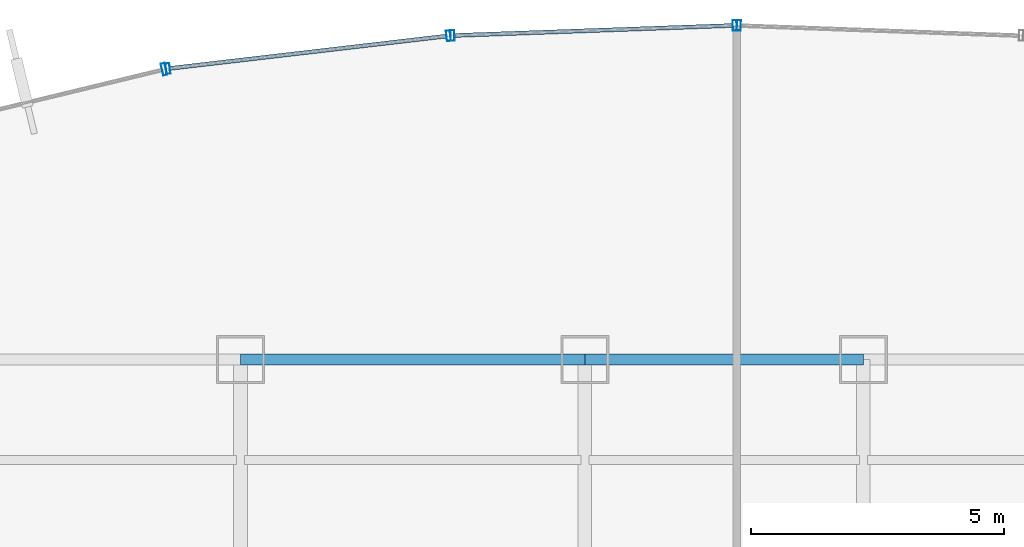
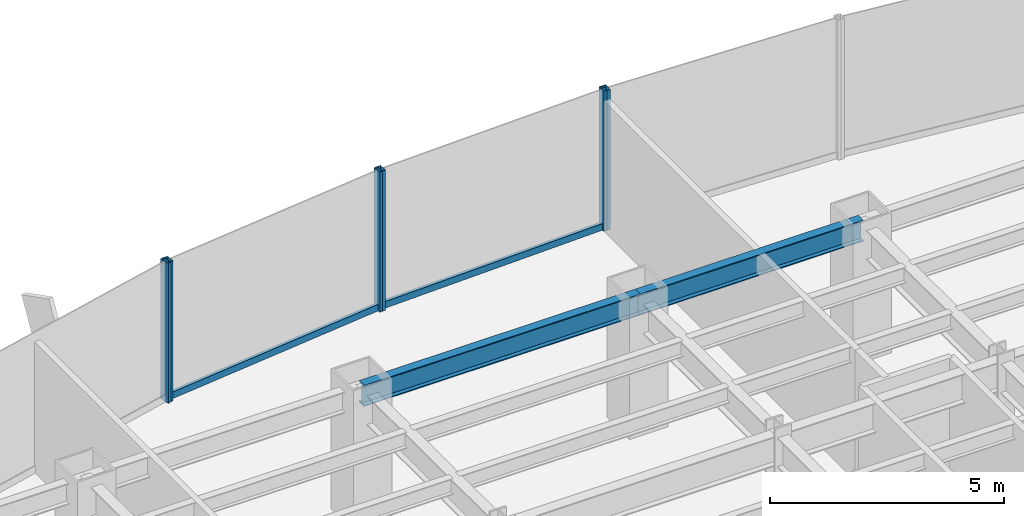
# One storey, part 12 of 22: 8 members, 2 beams, 4 elements without a shape of their own.
"""IFC4 building model written with IfcOpenShell, lengths in metres."""

from ifc_helpers import new_model, si_unit, derived_unit, direction, frame, origin, origin_2d, place, context, subcontext, project, spatial, hollow_rectangle, i_section, extrude, source, transform, mapped, material, material_profile, profile_set, type_object, element, aggregate, save


model = new_model("IFC4")

# Units and contexts
model_context = context("Model", 3, precision=1e-05, world=origin(), true_north=direction((0.0, 1.0)))
body_context = subcontext(model_context, "Body", "Model", "MODEL_VIEW")
ifc_project = project(units=[si_unit("LENGTHUNIT", "METRE"), si_unit("AREAUNIT", "SQUARE_METRE"), si_unit("VOLUMEUNIT", "CUBIC_METRE"), si_unit("PLANEANGLEUNIT", "RADIAN"), si_unit("MASSUNIT", "GRAM", prefix="KILO"), derived_unit("THERMALTRANSMITTANCEUNIT", [(si_unit("POWERUNIT", "WATT"), 1), (si_unit("LENGTHUNIT", "METRE"), -2), (si_unit("THERMODYNAMICTEMPERATUREUNIT", "KELVIN"), -1)])], contexts=[model_context])

# Site, building, storey
site_placement = place(None, origin())
site = spatial("IfcSite", under=ifc_project, at=site_placement, CompositionType="ELEMENT")
building_placement = place(site_placement, origin())
building = spatial("IfcBuilding", under=site, at=building_placement, Name="Skarnbrae Concourse Arena and Tower", CompositionType="ELEMENT")
storey_placement = place(building_placement, frame((0.0, 0.0, 61.699951171875)))
storey = spatial("IfcBuildingStorey", under=building, at=storey_placement, Name="L14", CompositionType="ELEMENT", Elevation=61.699951171875)

# Beams
ifc_material_1 = material(Name="Steel CSA G40.21 350W", Category="steel")
ifc_material_profile_1 = material_profile(ifc_material_1, i_section(OverallWidth=0.214111328125, OverallDepth=0.549072265625, WebThickness=0.0146484375, FlangeThickness=0.023681640625, at=origin_2d()), Name="W530X138")
ifc_profile_set_1 = profile_set([ifc_material_profile_1], Name="Steel CSA G40.21 350W")
beam_type = type_object("IfcBeamType", Name="BM-SPAN-W530X138", PredefinedType="SPANDREL", material=ifc_profile_set_1)
shared_shape_1 = source(origin(), body_context, "Body", "SweptSolid", [
    extrude(i_section(OverallWidth=0.214111328125, OverallDepth=0.549072265625, WebThickness=0.0146484375, FlangeThickness=0.023681640625, at=origin_2d()), origin(), (0.0, 0.0, 1.0), 6.800048828125),
])
beam_1_placement = place(storey_placement, frame((21.199951171875, 40.39990234375, 3.12548828125), z_axis=(1.0, 0.0, 0.0), x_axis=(0.0, 1.0, 0.0)))
element("IfcBeam", 1, at=beam_1_placement, inside=storey, type_object=beam_type, Name="L14 Perimeter spandrel Y40.4-3", PredefinedType="SPANDREL", context=body_context, shape_type="MappedRepresentation", body=[
    mapped(shared_shape_1, transform((0.0, 0.0, 0.0))),
])
shared_shape_2 = source(origin(), body_context, "Body", "SweptSolid", [
    extrude(i_section(OverallWidth=0.214111328125, OverallDepth=0.549072265625, WebThickness=0.0146484375, FlangeThickness=0.023681640625, at=origin_2d()), origin(), (0.0, 0.0, 1.0), 5.5),
])
beam_2_placement = place(storey_placement, frame((28.0, 40.39990234375, 3.12548828125), z_axis=(1.0, 0.0, 0.0), x_axis=(0.0, 1.0, 0.0)))
element("IfcBeam", 2, at=beam_2_placement, inside=storey, type_object=beam_type, Name="L14 Perimeter spandrel Y40.4-4", PredefinedType="SPANDREL", context=body_context, shape_type="MappedRepresentation", body=[
    mapped(shared_shape_2, transform((0.0, 0.0, 0.0))),
])

# Curtain wall, member
ifc_material_2 = material(Name="Bronze anodised aluminium 6063-T6", Category="aluminium")
curtain_wall_type_1 = type_object("IfcCurtainWallType", Name="CW-SYS-02-LOWZONE", PredefinedType="USERDEFINED", material=ifc_material_2)
curtain_wall_1_placement = place(storey_placement, origin())
curtain_wall_1 = element("IfcCurtainWall", 3, at=curtain_wall_1_placement, inside=storey, type_object=curtain_wall_type_1, Name="L14 Unitised curtain wall CW-L14-E14", ObjectType="UNITISED CURTAIN WALL", PredefinedType="USERDEFINED")
ifc_material_profile_2 = material_profile(ifc_material_2, hollow_rectangle(XDim=0.080078125, YDim=0.239990234375, WallThickness=0.0048828125, at=origin_2d()), Name="ALU-MULL-80X240")
ifc_profile_set_2 = profile_set([ifc_material_profile_2], Name="Bronze anodised aluminium 6063-T6")
member_type_1 = type_object("IfcMemberType", Name="CWM-CW-02", PredefinedType="MULLION", material=ifc_profile_set_2)
shared_shape_3 = source(origin(), body_context, "Body", "SweptSolid", [
    extrude(hollow_rectangle(XDim=0.080078125, YDim=0.239990234375, WallThickness=0.0048828125, at=origin_2d()), origin(), (0.0, 0.0, 1.0), 3.650146484375),
])
member_1_placement = place(storey_placement, frame((19.688720703125, 46.131103515625, 0.0), z_axis=(0.0, 0.0, 1.0), x_axis=(-0.971973721569, -0.235089524607, 0.0)))
member_1 = element("IfcMember", 4, at=member_1_placement, type_object=member_type_1, Name="CW-L14-E14 Mullion 1", PredefinedType="MULLION", context=body_context, shape_type="MappedRepresentation", body=[
    mapped(shared_shape_3, transform((0.0, 0.0, 0.0))),
])
aggregate(curtain_wall_1, [member_1])

curtain_wall_type_2 = type_object("IfcCurtainWallType", Name="CW-SYS-03-PORTAL", PredefinedType="USERDEFINED", material=ifc_material_2)
curtain_wall_2_placement = place(storey_placement, origin())
curtain_wall_2 = element("IfcCurtainWall", 5, at=curtain_wall_2_placement, inside=storey, type_object=curtain_wall_type_2, Name="L14 Unitised curtain wall CW-L14-E11", ObjectType="UNITISED CURTAIN WALL", PredefinedType="USERDEFINED")
ifc_material_profile_3 = material_profile(ifc_material_2, hollow_rectangle(XDim=0.080078125, YDim=0.2099609375, WallThickness=0.00439453125, at=origin_2d()), Name="ALU-MULL-80X210")
ifc_profile_set_3 = profile_set([ifc_material_profile_3], Name="Bronze anodised aluminium 6063-T6")
member_type_2 = type_object("IfcMemberType", Name="CWM-CW-03", PredefinedType="MULLION", material=ifc_profile_set_3)
shared_shape_4 = source(origin(), body_context, "Body", "SweptSolid", [
    extrude(hollow_rectangle(XDim=0.080078125, YDim=0.2099609375, WallThickness=0.00439453125, at=origin_2d()), origin(), (0.0, 0.0, 1.0), 3.650146484375),
])
member_2_placement = place(storey_placement, frame((31.0400390625, 46.99853515625, 0.0), z_axis=(0.0, 0.0, 1.0), x_axis=(-0.999355425188, 0.035898943527, 0.0)))
member_2 = element("IfcMember", 6, at=member_2_placement, type_object=member_type_2, Name="CW-L14-E11 Mullion 2", PredefinedType="MULLION", context=body_context, shape_type="MappedRepresentation", body=[
    mapped(shared_shape_4, transform((0.0, 0.0, 0.0))),
])
aggregate(curtain_wall_2, [member_2])

# Curtain wall, members
curtain_wall_3_placement = place(storey_placement, origin())
curtain_wall_3 = element("IfcCurtainWall", 7, at=curtain_wall_3_placement, inside=storey, type_object=curtain_wall_type_2, Name="L14 Unitised curtain wall CW-L14-E12", ObjectType="UNITISED CURTAIN WALL", PredefinedType="USERDEFINED")
member_3_placement = place(storey_placement, frame((30.9599609375, 46.99853515625, 0.0), z_axis=(0.0, 0.0, 1.0), x_axis=(-0.999355425188, -0.035898943527, 0.0)))
member_3 = element("IfcMember", 8, at=member_3_placement, type_object=member_type_2, Name="CW-L14-E12 Mullion 1", PredefinedType="MULLION", context=body_context, shape_type="MappedRepresentation", body=[
    mapped(shared_shape_4, transform((0.0, 0.0, 0.0))),
])
member_4_placement = place(storey_placement, frame((25.385986328125, 46.79833984375, 0.0), z_axis=(0.0, 0.0, 1.0), x_axis=(-0.999355425188, -0.035898943527, 0.0)))
member_4 = element("IfcMember", 9, at=member_4_placement, type_object=member_type_2, Name="CW-L14-E12 Mullion 2", PredefinedType="MULLION", context=body_context, shape_type="MappedRepresentation", body=[
    mapped(shared_shape_4, transform((0.0, 0.0, 0.0))),
])

curtain_wall_4_placement = place(storey_placement, origin())
curtain_wall_4 = element("IfcCurtainWall", 10, at=curtain_wall_4_placement, inside=storey, type_object=curtain_wall_type_2, Name="L14 Unitised curtain wall CW-L14-E13", ObjectType="UNITISED CURTAIN WALL", PredefinedType="USERDEFINED")
member_5_placement = place(storey_placement, frame((25.306396484375, 46.792236328125, 0.0), z_axis=(0.0, 0.0, 1.0), x_axis=(-0.99324457001, -0.116039752435, 0.0)))
member_5 = element("IfcMember", 11, at=member_5_placement, type_object=member_type_2, Name="CW-L14-E13 Mullion 1", PredefinedType="MULLION", context=body_context, shape_type="MappedRepresentation", body=[
    mapped(shared_shape_4, transform((0.0, 0.0, 0.0))),
])
member_6_placement = place(storey_placement, frame((19.767333984375, 46.14501953125, 0.0), z_axis=(0.0, 0.0, 1.0), x_axis=(-0.99324457001, -0.116039752435, 0.0)))
member_6 = element("IfcMember", 12, at=member_6_placement, type_object=member_type_2, Name="CW-L14-E13 Mullion 2", PredefinedType="MULLION", context=body_context, shape_type="MappedRepresentation", body=[
    mapped(shared_shape_4, transform((0.0, 0.0, 0.0))),
])
ifc_material_profile_4 = material_profile(ifc_material_2, hollow_rectangle(XDim=0.080078125, YDim=0.169921875, WallThickness=0.00439453125, at=origin_2d()), Name="ALU-TRAN-80X170")
ifc_profile_set_4 = profile_set([ifc_material_profile_4], Name="Bronze anodised aluminium 6063-T6")
member_type_3 = type_object("IfcMemberType", Name="CWT-CW-03", PredefinedType="USERDEFINED", material=ifc_profile_set_4)
shared_shape_5 = source(origin(), body_context, "Body", "SweptSolid", [
    extrude(hollow_rectangle(XDim=0.080078125, YDim=0.169921875, WallThickness=0.00439453125, at=origin_2d()), origin(), (0.0, 0.0, 1.0), 5.49658203125),
])
member_7_placement = place(storey_placement, frame((25.2666015625, 46.78759765625, 0.0849609375), z_axis=(-0.993247281455, -0.116016541417, 0.0), x_axis=(0.116016541417, -0.993247281455, 0.0)))
member_7 = element("IfcMember", 13, at=member_7_placement, type_object=member_type_3, Name="CW-L14-E13 Transom 1", ObjectType="TRANSOM", PredefinedType="USERDEFINED", context=body_context, shape_type="MappedRepresentation", body=[
    mapped(shared_shape_5, transform((0.0, 0.0, 0.0))),
])
aggregate(curtain_wall_4, [member_5, member_6, member_7])

# Member
shared_shape_6 = source(origin(), body_context, "Body", "SweptSolid", [
    extrude(hollow_rectangle(XDim=0.080078125, YDim=0.169921875, WallThickness=0.00439453125, at=origin_2d()), origin(), (0.0, 0.0, 1.0), 5.497802734375),
])
member_8_placement = place(storey_placement, frame((30.920166015625, 46.9970703125, 0.0849609375), z_axis=(-0.999356047798, -0.03588160712, 0.0), x_axis=(0.03588160712, -0.999356047798, 0.0)))
member_8 = element("IfcMember", 14, at=member_8_placement, type_object=member_type_3, Name="CW-L14-E12 Transom 1", ObjectType="TRANSOM", PredefinedType="USERDEFINED", context=body_context, shape_type="MappedRepresentation", body=[
    mapped(shared_shape_6, transform((0.0, 0.0, 0.0))),
])

aggregate(curtain_wall_3, [member_3, member_4, member_8])

save(model, "model.ifc")
